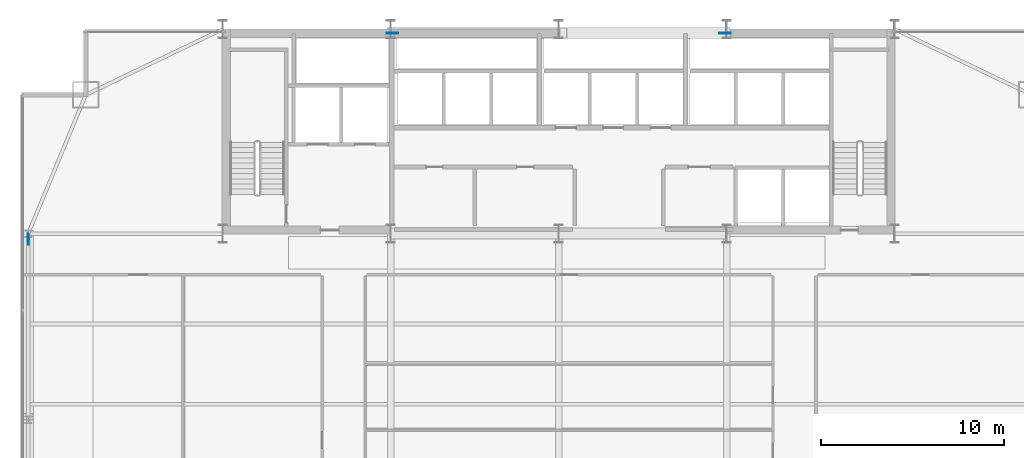
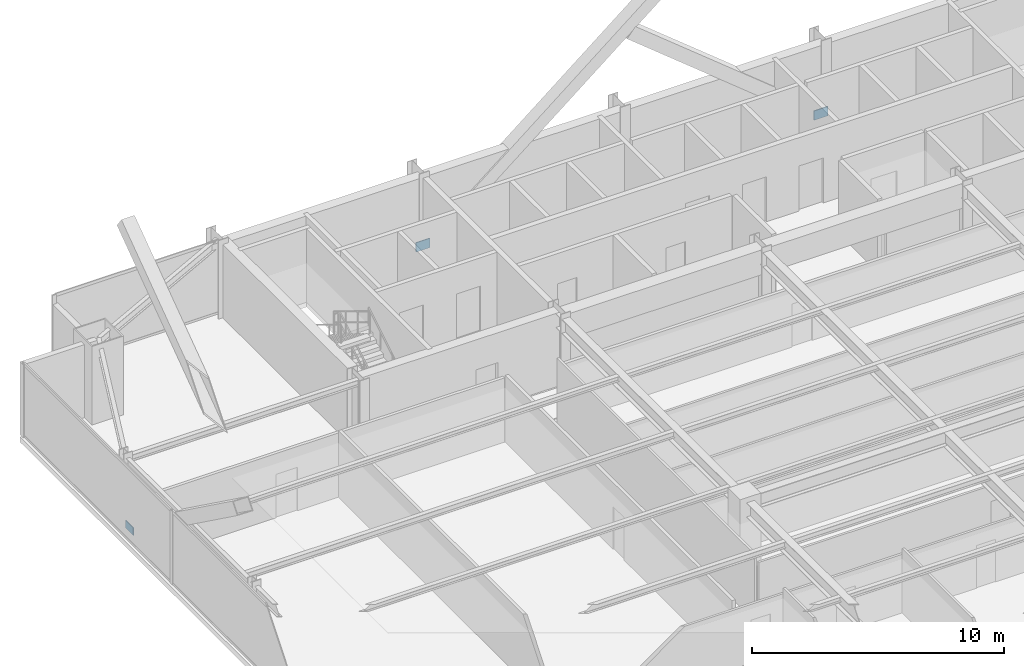
# One storey, part 31 of 37: 3 plates.
"""IFC4 building model written with IfcOpenShell, lengths in metres."""

from ifc_helpers import new_model, si_unit, direction, frame, origin, origin_2d, place, context, subcontext, project, spatial, rectangle, extrude, source, transform, mapped, material, layer, layer_set, type_object, type_shapes, element, save


model = new_model("IFC4")

# Units and contexts
model_context = context("Model", 3, precision=1e-05, world=origin(), true_north=direction((0.0, 1.0)))
body_context = subcontext(model_context, "Body", "Model", "MODEL_VIEW")
ifc_project = project(units=[si_unit("LENGTHUNIT", "METRE"), si_unit("AREAUNIT", "SQUARE_METRE"), si_unit("VOLUMEUNIT", "CUBIC_METRE"), si_unit("PLANEANGLEUNIT", "RADIAN"), si_unit("MASSUNIT", "GRAM", prefix="KILO")], contexts=[model_context])

# Site, building, storey
site_placement = place(None, origin())
site = spatial("IfcSite", under=ifc_project, at=site_placement, CompositionType="ELEMENT")
building_placement = place(site_placement, origin())
building = spatial("IfcBuilding", under=site, at=building_placement, Name="Varnel Quay Broadcast Tower", CompositionType="ELEMENT")
storey_placement = place(building_placement, frame((0.0, 0.0, 103.0)))
storey = spatial("IfcBuildingStorey", under=building, at=storey_placement, Name="L24", CompositionType="ELEMENT", Elevation=103.0)

# Plates
ifc_material = material(Name="Structural Steel CSA G40.21 350WT", Category="steel")
ifc_layer_1 = layer(ifc_material, 0.0400390625, Name="Structural Steel CSA G40.21 350WT")
ifc_layer_set_1 = layer_set([ifc_layer_1], Name="Structural Steel CSA G40.21 350WT")
plate_type_1 = type_object("IfcPlateType", Name="Plate_EmbedPlate", PredefinedType="USERDEFINED", material=ifc_layer_set_1)
shared_shape_1 = source(origin(), body_context, "Body", "SweptSolid", [
    extrude(rectangle(XDim=0.639892578125, YDim=0.0400390625, at=origin_2d()), origin(), (0.0, 0.0, 1.0), 0.449951171875),
])
type_shapes(plate_type_1, [shared_shape_1])
for number, where, z_axis, x_axis, name in (
    (1, (24.893310546875, 46.580078125, -0.12939453125), (0.0, 0.0, 1.0), (1.0, 0.0, 0.0), "Zone 2 Mega-Brace N-CT2 Diag A Wall Cast-In Embed Plate P0"),
    (2, (43.106689453125, 46.580078125, -0.12939453125), (0.0, 0.0, 1.0), (1.0, 0.0, 0.0), "Zone 2 Mega-Brace N-CT2 Diag B1 Wall Cast-In Embed Plate P0"),
):
    element("IfcPlate", number, at=place(storey_placement, frame(where, z_axis=z_axis, x_axis=x_axis)), inside=storey, type_object=plate_type_1, Name=name, ObjectType="EMBED_PLATE", PredefinedType="USERDEFINED", context=body_context, shape_type="MappedRepresentation", body=[
        mapped(shared_shape_1, transform((0.0, 0.0, 0.0), x_axis=(1.0, 0.0, 0.0), y_axis=(0.0, 1.0, 0.0), z_axis=(0.0, 0.0, 1.0), scale=1.0)),
    ])
ifc_layer_2 = layer(ifc_material, 0.031982421875, Name="Structural Steel CSA G40.21 350WT")
ifc_layer_set_2 = layer_set([ifc_layer_2], Name="Structural Steel CSA G40.21 350WT")
plate_type_2 = type_object("IfcPlateType", Name="Plate_EndCap", PredefinedType="USERDEFINED", material=ifc_layer_set_2)
shared_shape_2 = source(origin(), body_context, "Body", "SweptSolid", [
    extrude(rectangle(XDim=0.6201171875, YDim=0.031982421875, at=origin_2d()), origin(), (0.0, 0.0, 1.0), 0.3798828125),
])
type_shapes(plate_type_2, [shared_shape_2])
plate_placement = place(storey_placement, frame((4.949951171875, 35.292236328125, 0.052978515625), z_axis=(0.0, 0.0, 1.0), x_axis=(0.0, 1.0, 0.0)))
element("IfcPlate", 3, at=plate_placement, inside=storey, type_object=plate_type_2, Name="Zone 2 Mega-Brace W-FT2 Diag B1 End Connection Plate P0", ObjectType="CAP_PLATE", PredefinedType="USERDEFINED", context=body_context, shape_type="MappedRepresentation", body=[
    mapped(shared_shape_2, transform((0.0, 0.0, 0.0), x_axis=(1.0, 0.0, 0.0), y_axis=(0.0, 1.0, 0.0), z_axis=(0.0, 0.0, 1.0), scale=1.0)),
])

save(model, "model.ifc")
